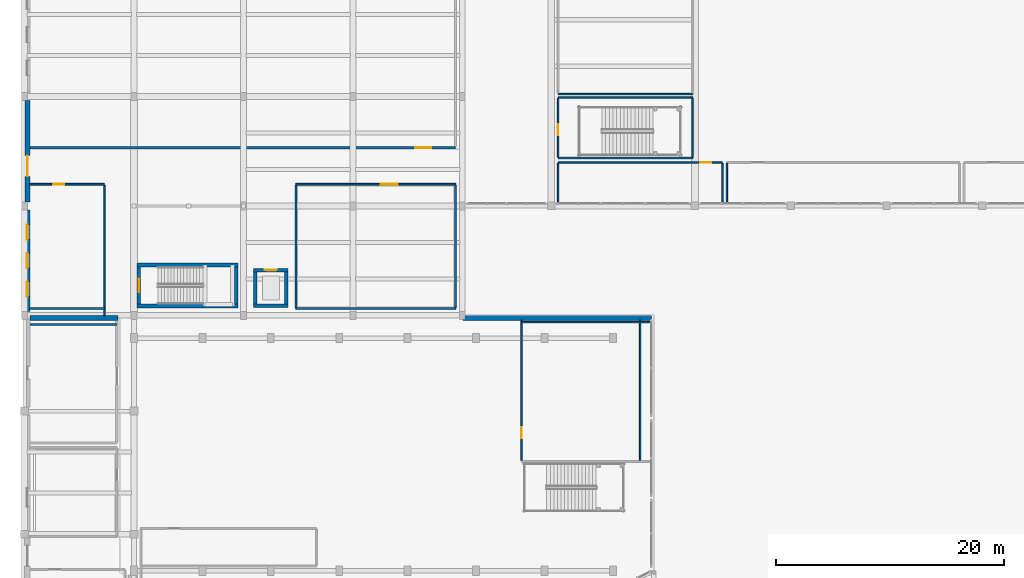
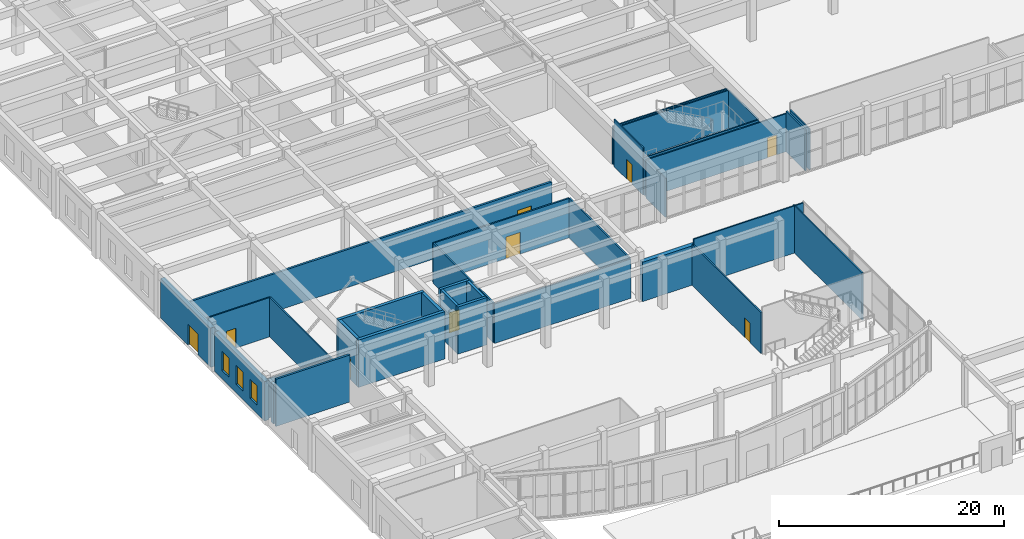
# One storey, part 67 of 98: 33 walls, 9 doors, 3 windows, 12 openings.
"""IFC4 building model written with IfcOpenShell, lengths in metres."""

import ifcopenshell
import ifcopenshell.guid

model = None  # the IFC model being written
_history = None  # IfcOwnerHistory: only IFC2X3 demands one
_inside = {}  # id of a spatial element -> (the spatial element, [elements in it])
_under = {}  # id of a project, library or spatial element -> (it, [spatial elements below it])
_declared = {}  # id of a project -> (the project, [libraries it declares])
_typed = {}  # id of a type object -> (the type object, [elements of that type])
_made_of = {}  # id of a material, layer set ... -> (it, [elements and type objects made of it])


def new_model(schema):
    """Start an empty IFC model of exactly this schema.

    Asked for "IFC4X3", IfcOpenShell would pick the latest addendum, in which some entities
    have other attributes; the version numbers below select the first issue.
    IFC2X3 requires an IfcOwnerHistory on every rooted entity: one is made here for all.
    """
    global model, _history
    if schema == "IFC4X3":
        model = ifcopenshell.file(schema_version=(4, 3, 0, 0))
    else:
        model = ifcopenshell.file(schema=schema)
    _inside.clear()
    _under.clear()
    _declared.clear()
    _typed.clear()
    _made_of.clear()
    _history = None
    if model.schema == "IFC2X3":
        org = make("IfcOrganization", Name="unknown")
        user = make(
            "IfcPersonAndOrganization",
            ThePerson=make("IfcPerson", FamilyName="unknown"),
            TheOrganization=org,
        )
        app = make(
            "IfcApplication",
            ApplicationDeveloper=org,
            Version="unknown",
            ApplicationFullName="unknown",
            ApplicationIdentifier="unknown",
        )
        _history = make(
            "IfcOwnerHistory",
            OwningUser=user,
            OwningApplication=app,
            ChangeAction="ADDED",
            CreationDate=0,
        )
    return model


def make(cls, **values):
    """One entity of the class cls with the attributes given. An attribute that is None is left unset."""
    return model.create_entity(
        cls, **{name: value for name, value in values.items() if value is not None}
    )


def rooted(cls, **values):
    """An entity with a GlobalId (a new one), such as an element, a storey or a relation."""
    return make(cls, GlobalId=ifcopenshell.guid.new(), OwnerHistory=_history, **values)


def si_unit(unit_type, name, prefix=None):
    """IfcSIUnit, for example si_unit("LENGTHUNIT", "METRE", prefix="MILLI")."""
    return make("IfcSIUnit", UnitType=unit_type, Prefix=prefix, Name=name)


def assignment(units):
    """IfcUnitAssignment: the units of a project."""
    return None if units is None else make("IfcUnitAssignment", Units=units)


def point(xyz):
    """IfcCartesianPoint."""
    return None if xyz is None else make("IfcCartesianPoint", Coordinates=xyz)


def direction(xyz):
    """IfcDirection."""
    return None if xyz is None else make("IfcDirection", DirectionRatios=xyz)


def frame(location, z_axis=None, x_axis=None):
    """IfcAxis2Placement3D, a coordinate frame: its origin and axes. An axis left out is left unset."""
    return make(
        "IfcAxis2Placement3D",
        Location=point(location),
        Axis=direction(z_axis),
        RefDirection=direction(x_axis),
    )


def frame_2d(location, x_axis=None):
    """IfcAxis2Placement2D, a coordinate frame in the plane: its origin and x axis."""
    return make(
        "IfcAxis2Placement2D", Location=point(location), RefDirection=direction(x_axis)
    )


def origin():
    """The frame at (0, 0, 0) with its axes left unset."""
    return frame((0.0, 0.0, 0.0))


def place(relative_to, where):
    """IfcLocalPlacement: puts the frame where relative to a parent placement (None: the world)."""
    return make(
        "IfcLocalPlacement", PlacementRelTo=relative_to, RelativePlacement=where
    )


def context(
    kind, dimensions, precision=None, world=None, true_north=None, identifier=None
):
    """IfcGeometricRepresentationContext, for example the 3D "Model" context."""
    return make(
        "IfcGeometricRepresentationContext",
        ContextIdentifier=identifier,
        ContextType=kind,
        CoordinateSpaceDimension=dimensions,
        Precision=precision,
        WorldCoordinateSystem=world,
        TrueNorth=true_north,
    )


def subcontext(parent, identifier, kind, view, scale=None):
    """IfcGeometricRepresentationSubContext, for example "Body" below "Model"."""
    return make(
        "IfcGeometricRepresentationSubContext",
        ContextIdentifier=identifier,
        ContextType=kind,
        ParentContext=parent,
        TargetScale=scale,
        TargetView=view,
    )


def project(units=None, contexts=None):
    """IfcProject with its units and contexts."""
    return rooted(
        "IfcProject",
        Name="project",
        RepresentationContexts=contexts,
        UnitsInContext=assignment(units),
    )


def spatial(cls, under=None, at=None, **own):
    """A site, building, storey or space (cls), placed at a placement, below another one or the project."""
    s = rooted(cls, ObjectPlacement=at, **own)
    if under is not None:
        _under.setdefault(under.id(), (under, []))[1].append(s)
    return s


def profile(cls, at=None, kind="AREA", **sizes):
    """A parametric profile (cls). Its sizes go by their IFC names, for example OverallWidth=200.0."""
    return make(cls, ProfileType=kind, Position=at, **sizes)


def rectangle(**sizes):
    """IfcRectangleProfileDef."""
    return profile("IfcRectangleProfileDef", **sizes)


def extrude(swept, where, along, depth):
    """IfcExtrudedAreaSolid: the profile swept, set in the frame where, extruded along a direction by depth."""
    return make(
        "IfcExtrudedAreaSolid",
        SweptArea=swept,
        Position=where,
        ExtrudedDirection=direction(along),
        Depth=depth,
    )


def shape(context_of_items, identifier, shape_type, items):
    """IfcShapeRepresentation: the items that make up one representation, for example the "Body"."""
    return make(
        "IfcShapeRepresentation",
        ContextOfItems=context_of_items,
        RepresentationIdentifier=identifier,
        RepresentationType=shape_type,
        Items=items,
    )


def material(Name=None, Category=None):
    """IfcMaterial."""
    return make("IfcMaterial", Name=Name, Category=Category)


def layer(
    of_material, thickness, ventilated=None, Name=None, Category=None, Priority=None
):
    """IfcMaterialLayer: one layer of a wall or slab, of a material (None: an air gap)."""
    return make(
        "IfcMaterialLayer",
        Material=of_material,
        LayerThickness=thickness,
        IsVentilated=ventilated,
        Name=Name,
        Category=Category,
        Priority=Priority,
    )


def layer_set(layers, Name=None):
    """IfcMaterialLayerSet."""
    return make("IfcMaterialLayerSet", MaterialLayers=layers, LayerSetName=Name)


def made_of(thing, what):
    """Note that an element or type object is made of a material, layer set ...; save() writes the relation."""
    if what is not None:
        _made_of.setdefault(what.id(), (what, []))[1].append(thing)
    return thing


def type_object(cls, material=None, **own):
    """A type object (cls), such as IfcWallType, which elements share."""
    return made_of(rooted(cls, **own), material)


def element(
    cls,
    number,
    at=None,
    inside=None,
    cuts=None,
    type_object=None,
    material=None,
    context=None,
    identifier="Body",
    shape_type=None,
    held_by="IfcProductDefinitionShape",
    body=None,
    shapes=None,
    **own,
):
    """One element of the class cls, such as IfcWall. Its Tag is "e" and its number.

    at: its placement. inside: the storey or other place that contains it. cuts: it is an
    opening in that element (IfcRelVoidsElement). A single representation is given by context,
    identifier, shape_type and body (its items); several are given by shapes. held_by: the class
    of the entity that holds the representations. save() writes the other relations.
    """
    e = rooted(cls, Tag="e%d" % number, ObjectPlacement=at, **own)
    if body is not None:
        shapes = [shape(context, identifier, shape_type, body)]
    if shapes is not None:
        e.Representation = make(held_by, Representations=shapes)
    if inside is not None:
        _inside.setdefault(inside.id(), (inside, []))[1].append(e)
    if cuts is not None:
        rooted(
            "IfcRelVoidsElement", RelatingBuildingElement=cuts, RelatedOpeningElement=e
        )
    if type_object is not None:
        _typed.setdefault(type_object.id(), (type_object, []))[1].append(e)
    return made_of(e, material)


def fill(opening, filler):
    """IfcRelFillsElement: the door or window that sits in an opening."""
    return rooted(
        "IfcRelFillsElement",
        RelatingOpeningElement=opening,
        RelatedBuildingElement=filler,
    )


def aggregate(whole, parts):
    """IfcRelAggregates: a whole, such as a stair, and the parts it consists of."""
    return rooted("IfcRelAggregates", RelatingObject=whole, RelatedObjects=parts)


def save(model, path):
    """Write the relations noted so far, then the file.

    IfcRelAggregates (storeys below a building ...), IfcRelContainedInSpatialStructure (elements
    in a storey), IfcRelDefinesByType, IfcRelAssociatesMaterial and IfcRelDeclares: one each for
    every whole, place, type object, material and project.
    """
    for whole, parts in _under.values():
        aggregate(whole, parts)
    for where, things in _inside.values():
        rooted(
            "IfcRelContainedInSpatialStructure",
            RelatedElements=things,
            RelatingStructure=where,
        )
    for kind, things in _typed.values():
        rooted("IfcRelDefinesByType", RelatedObjects=things, RelatingType=kind)
    for what, things in _made_of.values():
        rooted("IfcRelAssociatesMaterial", RelatedObjects=things, RelatingMaterial=what)
    for by, libraries in _declared.values():
        rooted("IfcRelDeclares", RelatingContext=by, RelatedDefinitions=libraries)
    model.write(path)


model = new_model("IFC4")

# Units and contexts
model_context = context("Model", 3, precision=1e-05, world=origin(), true_north=direction((0.0, 1.0)))
body_context = subcontext(model_context, "Body", "Model", "MODEL_VIEW")
ifc_project = project(units=[si_unit("LENGTHUNIT", "METRE"), si_unit("AREAUNIT", "SQUARE_METRE"), si_unit("VOLUMEUNIT", "CUBIC_METRE"), si_unit("PLANEANGLEUNIT", "RADIAN"), si_unit("MASSUNIT", "GRAM", prefix="KILO")], contexts=[model_context])

# Site, building, storey
site_placement = place(None, origin())
site = spatial("IfcSite", under=ifc_project, at=site_placement, CompositionType="ELEMENT")
building_placement = place(site_placement, origin())
building = spatial("IfcBuilding", under=site, at=building_placement, Name="Tarnavel Promenade Courthouse", CompositionType="ELEMENT")
storey_placement = place(building_placement, origin())
storey = spatial("IfcBuildingStorey", under=building, at=storey_placement, Name="L01", CompositionType="ELEMENT", Elevation=0.0)

# Wall, opening, door
ifc_material_1 = material(Name="Acoustic Insulated Gypsum Stud Partition", Category="gypsum")
ifc_layer_1 = layer(ifc_material_1, 0.14990234375)
ifc_layer_set_1 = layer_set([ifc_layer_1], Name="Acoustic Insulated Gypsum Stud Partition")
wall_type_1 = type_object("IfcWallType", Name="Acoustic Insulated Gypsum Stud Partition WL-LIB-150 (150 mm)", PredefinedType="PARTITIONING", material=ifc_layer_set_1)
wall_1_placement = place(storey_placement, frame((23.800048828125, 48.699951171875, 0.0), z_axis=(0.0, 0.0, 1.0), x_axis=(1.0, 0.0, 0.0)))
wall_1 = element("IfcWall", 1, at=wall_1_placement, inside=storey, type_object=wall_type_1, Name="L01 Law Library Circulation Desk and Catalogue Room Partition 0139", PredefinedType="PARTITIONING", context=body_context, shape_type="SweptSolid", body=[
    extrude(rectangle(XDim=14.0, YDim=0.14990234375, at=frame_2d((7.0, 0.0))), origin(), (0.0, 0.0, 1.0), 4.280029296875),
])
opening_1_placement = place(wall_1_placement, frame((7.429931640625, 0.0, 0.0)))
opening_1 = element("IfcOpeningElement", 2, at=opening_1_placement, cuts=wall_1, Name="Opening ID-05", PredefinedType="OPENING", context=body_context, shape_type="SweptSolid", body=[
    extrude(rectangle(XDim=1.5, YDim=2.35009765625, at=frame_2d((0.75, 1.175048828125))), frame((0.0, 0.0849609375, 0.0), z_axis=(0.0, -1.0, 0.0), x_axis=(1.0, 0.0, 0.0)), (0.0, 0.0, 1.0), 0.169921875),
])
ifc_material_2 = material(Name="Glazed Oak Law Library Double Door")
door_type_1 = type_object("IfcDoorType", Name="Glazed Oak Law Library Double Door (DR-LIB-1500x2350)", OperationType="NOTDEFINED", PredefinedType="DOOR", material=ifc_material_2)
door_1_placement = place(opening_1_placement, origin())
door_1 = element("IfcDoor", 3, at=door_1_placement, inside=storey, type_object=door_type_1, Name="L01 Law Library Circulation Desk and Catalogue Room Door 0040", OperationType="DOUBLE_DOOR_SINGLE_SWING", OverallHeight=2.35009765625, OverallWidth=1.5, PredefinedType="DOOR", context=body_context, shape_type="SweptSolid", body=[
    extrude(rectangle(XDim=1.5, YDim=2.35009765625, at=frame_2d((0.75, 1.175048828125))), frame((0.0, 0.02490234375, 0.0), z_axis=(0.0, -1.0, 0.0), x_axis=(1.0, 0.0, 0.0)), (0.0, 0.0, 1.0), 0.050048828125),
])
fill(opening_1, door_1)

# Walls
wall_2_placement = place(storey_placement, frame((37.800048828125, 37.800048828125, 0.0), z_axis=(0.0, 0.0, 1.0), x_axis=(-1.0, 0.0, 0.0)))
element("IfcWall", 4, at=wall_2_placement, inside=storey, type_object=wall_type_1, Name="L01 Law Library Circulation Desk and Catalogue Room Partition 0140", PredefinedType="PARTITIONING", context=body_context, shape_type="SweptSolid", body=[
    extrude(rectangle(XDim=14.0, YDim=0.14990234375, at=frame_2d((7.0, 0.0))), origin(), (0.0, 0.0, 1.0), 4.280029296875),
])
for number, where, z_axis, x_axis, name in (
    (5, (23.800048828125, 37.885009765625, 0.0), (0.0, 0.0, 1.0), (0.0, 1.0, 0.0), "L01 Law Library Circulation Desk and Catalogue Room Partition 0141"),
    (6, (37.800048828125, 48.614990234375, 0.0), (0.0, 0.0, 1.0), (0.0, -1.0, 0.0), "L01 Law Library Circulation Desk and Catalogue Room Partition 0142"),
):
    element("IfcWall", number, at=place(storey_placement, frame(where, z_axis=z_axis, x_axis=x_axis)), inside=storey, type_object=wall_type_1, Name=name, PredefinedType="PARTITIONING", context=body_context, shape_type="SweptSolid", body=[
        extrude(rectangle(XDim=10.72998046875, YDim=0.14990234375, at=frame_2d((5.364990234375, 0.0))), origin(), (0.0, 0.0, 1.0), 4.330078125),
    ])

# Wall, opening, door
ifc_material_3 = material(Name="Concrete C40/50", Category="concrete")
ifc_layer_2 = layer(ifc_material_3, 0.280029296875)
ifc_layer_set_2 = layer_set([ifc_layer_2], Name="Concrete C40/50")
wall_type_2 = type_object("IfcWallType", Name="Concrete C40/50 WL-SHR-280 (280 mm)", PredefinedType="SHEAR", material=ifc_layer_set_2)
wall_3_placement = place(storey_placement, frame((20.10009765625, 41.159912109375, 0.0), z_axis=(0.0, 0.0, 1.0), x_axis=(1.0, 0.0, 0.0)))
wall_3 = element("IfcWall", 7, at=wall_3_placement, inside=storey, type_object=wall_type_2, Name="L01 L-LIB1 Lift Shaft North Wall", PredefinedType="SHEAR", context=body_context, shape_type="SweptSolid", body=[
    extrude(rectangle(XDim=3.0, YDim=0.280029296875, at=frame_2d((1.5, 0.0))), origin(), (0.0, 0.0, 1.0), 5.139892578125),
])
opening_2_placement = place(wall_3_placement, frame((0.97509765625, 0.0, 0.0)))
opening_2 = element("IfcOpeningElement", 8, at=opening_2_placement, cuts=wall_3, Name="Opening LD-02", PredefinedType="OPENING", context=body_context, shape_type="SweptSolid", body=[
    extrude(rectangle(XDim=1.050048828125, YDim=2.199951171875, at=frame_2d((0.52490234375, 1.10009765625))), frame((0.0, 0.14990234375, 0.0), z_axis=(0.0, -1.0, 0.0), x_axis=(1.0, 0.0, 0.0)), (0.0, 0.0, 1.0), 0.300048828125),
])
ifc_material_4 = material(Name="Brushed Bronze Passenger Lift Landing Sliding Door")
door_type_2 = type_object("IfcDoorType", Name="Brushed Bronze Passenger Lift Landing Sliding Door (LD-PUB-1050x2200)", OperationType="NOTDEFINED", PredefinedType="DOOR", material=ifc_material_4)
door_2_placement = place(opening_2_placement, origin())
door_2 = element("IfcDoor", 9, at=door_2_placement, inside=storey, type_object=door_type_2, Name="L01 L-LIB1 Lift Sliding Landing Door", OperationType="DOUBLE_DOOR_SLIDING", OverallHeight=2.199951171875, OverallWidth=1.050048828125, PredefinedType="DOOR", context=body_context, shape_type="SweptSolid", body=[
    extrude(rectangle(XDim=1.050048828125, YDim=2.199951171875, at=frame_2d((0.52490234375, 1.10009765625))), frame((0.0, 0.02490234375, 0.0), z_axis=(0.0, -1.0, 0.0), x_axis=(1.0, 0.0, 0.0)), (0.0, 0.0, 1.0), 0.050048828125),
])
fill(opening_2, door_2)

# Walls
wall_4_placement = place(storey_placement, frame((23.10009765625, 38.0400390625, 0.0), z_axis=(0.0, 0.0, 1.0), x_axis=(-1.0, 0.0, 0.0)))
element("IfcWall", 10, at=wall_4_placement, inside=storey, type_object=wall_type_2, Name="L01 L-LIB1 Lift Shaft South Wall", PredefinedType="SHEAR", context=body_context, shape_type="SweptSolid", body=[
    extrude(rectangle(XDim=3.0, YDim=0.280029296875, at=frame_2d((1.5, 0.0))), origin(), (0.0, 0.0, 1.0), 5.139892578125),
])
for number, where, z_axis, x_axis, name in (
    (11, (20.239990234375, 38.179931640625, 0.0), (0.0, 0.0, 1.0), (0.0, 1.0, 0.0), "L01 L-LIB1 Lift Shaft West Wall"),
    (12, (22.9599609375, 41.02001953125, 0.0), (0.0, 0.0, 1.0), (0.0, -1.0, 0.0), "L01 L-LIB1 Lift Shaft East Wall"),
):
    element("IfcWall", number, at=place(storey_placement, frame(where, z_axis=z_axis, x_axis=x_axis)), inside=storey, type_object=wall_type_2, Name=name, PredefinedType="SHEAR", context=body_context, shape_type="SweptSolid", body=[
        extrude(rectangle(XDim=2.840087890625, YDim=0.280029296875, at=frame_2d((1.419921875, 0.0))), origin(), (0.0, 0.0, 1.0), 5.139892578125),
    ])
ifc_layer_3 = layer(ifc_material_3, 0.320068359375)
ifc_layer_set_3 = layer_set([ifc_layer_3], Name="Concrete C40/50")
wall_type_3 = type_object("IfcWallType", Name="Concrete C40/50 WL-SHR-320 (320 mm)", PredefinedType="SHEAR", material=ifc_layer_set_3)
for number, where, z_axis, x_axis, name in (
    (13, (9.860107421875, 41.6201171875, 0.0), (0.0, 0.0, 1.0), (1.0, 0.0, 0.0), "L01 ST-05 Shear Core North Wall"),
    (14, (18.739990234375, 38.02001953125, 0.0), (0.0, 0.0, 1.0), (-1.0, 0.0, 0.0), "L01 ST-05 Shear Core South Wall"),
):
    element("IfcWall", number, at=place(storey_placement, frame(where, z_axis=z_axis, x_axis=x_axis)), inside=storey, type_object=wall_type_3, Name=name, PredefinedType="SHEAR", context=body_context, shape_type="SweptSolid", body=[
        extrude(rectangle(XDim=8.8798828125, YDim=0.320068359375, at=frame_2d((4.43994140625, 0.0))), origin(), (0.0, 0.0, 1.0), 5.139892578125),
    ])

# Wall, opening, door
wall_5_placement = place(storey_placement, frame((10.02001953125, 38.179931640625, 0.0), z_axis=(0.0, 0.0, 1.0), x_axis=(0.0, 1.0, 0.0)))
wall_5 = element("IfcWall", 15, at=wall_5_placement, inside=storey, type_object=wall_type_3, Name="L01 ST-05 Shear Core West Landing Wall", PredefinedType="SHEAR", context=body_context, shape_type="SweptSolid", body=[
    extrude(rectangle(XDim=3.280029296875, YDim=0.320068359375, at=frame_2d((1.64013671875, 0.0))), origin(), (0.0, 0.0, 1.0), 5.139892578125),
])
opening_3_placement = place(wall_5_placement, frame((1.06494140625, 0.0, 0.0)))
opening_3 = element("IfcOpeningElement", 16, at=opening_3_placement, cuts=wall_5, Name="Opening FD-01", PredefinedType="OPENING", context=body_context, shape_type="SweptSolid", body=[
    extrude(rectangle(XDim=1.14990234375, YDim=2.199951171875, at=frame_2d((0.574951171875, 1.10009765625))), frame((0.0, 0.169921875, 0.0), z_axis=(0.0, -1.0, 0.0), x_axis=(1.0, 0.0, 0.0)), (0.0, 0.0, 1.0), 0.340087890625),
])
ifc_material_5 = material(Name="Steel Fire-Rated Stair Core Door", Category="steel")
door_type_3 = type_object("IfcDoorType", Name="Steel Fire-Rated Stair Core Door (DR-ST-1150x2200)", OperationType="NOTDEFINED", PredefinedType="DOOR", material=ifc_material_5)
door_3_placement = place(opening_3_placement, origin())
door_3 = element("IfcDoor", 17, at=door_3_placement, inside=storey, type_object=door_type_3, Name="L01 ST-05 Protected Exit Stair Door", OperationType="SINGLE_SWING_RIGHT", OverallHeight=2.199951171875, OverallWidth=1.14990234375, PredefinedType="DOOR", context=body_context, shape_type="SweptSolid", body=[
    extrude(rectangle(XDim=1.14990234375, YDim=2.199951171875, at=frame_2d((0.574951171875, 1.10009765625))), frame((0.0, 0.02490234375, 0.0), z_axis=(0.0, -1.0, 0.0), x_axis=(1.0, 0.0, 0.0)), (0.0, 0.0, 1.0), 0.050048828125),
])
fill(opening_3, door_3)

# Wall
wall_6_placement = place(storey_placement, frame((18.580078125, 41.4599609375, 0.0), z_axis=(0.0, 0.0, 1.0), x_axis=(0.0, -1.0, 0.0)))
element("IfcWall", 18, at=wall_6_placement, inside=storey, type_object=wall_type_3, Name="L01 ST-05 Shear Core East Wall", PredefinedType="SHEAR", context=body_context, shape_type="SweptSolid", body=[
    extrude(rectangle(XDim=3.280029296875, YDim=0.320068359375, at=frame_2d((1.64013671875, 0.0))), origin(), (0.0, 0.0, 1.0), 5.139892578125),
])

# Wall, opening, door
ifc_material_6 = material(Name="Concrete Masonry Fire Compartment Wall", Category="masonry")
ifc_layer_4 = layer(ifc_material_6, 0.205078125)
ifc_layer_set_4 = layer_set([ifc_layer_4], Name="Concrete Masonry Fire Compartment Wall")
wall_type_4 = type_object("IfcWallType", Name="Concrete Masonry Fire Compartment Wall WL-CMP-205 (205 mm)", PredefinedType="STANDARD", material=ifc_layer_set_4)
wall_7_placement = place(storey_placement, frame((37.800048828125, 51.89990234375, 0.0), z_axis=(0.0, 0.0, 1.0), x_axis=(-1.0, 0.0, 0.0)))
wall_7 = element("IfcWall", 19, at=wall_7_placement, inside=storey, type_object=wall_type_4, Name="L01 Judicial Archive Public Reference Room Partition 0134", PredefinedType="STANDARD", context=body_context, shape_type="SweptSolid", body=[
    extrude(rectangle(XDim=37.345947265625, YDim=0.205078125, at=frame_2d((18.6728515625, 0.0))), origin(), (0.0, 0.0, 1.0), 4.1298828125),
])
opening_4_placement = place(wall_7_placement, frame((2.1123046875, 0.0, 0.0)))
opening_4 = element("IfcOpeningElement", 20, at=opening_4_placement, cuts=wall_7, Name="Opening FD-04", PredefinedType="OPENING", context=body_context, shape_type="SweptSolid", body=[
    extrude(rectangle(XDim=1.39990234375, YDim=2.25, at=frame_2d((0.699951171875, 1.125))), frame((0.0, 0.112548828125, 0.0), z_axis=(0.0, -1.0, 0.0), x_axis=(1.0, 0.0, 0.0)), (0.0, 0.0, 1.0), 0.22509765625),
])
ifc_material_7 = material(Name="Heavy Steel Plant Room Fire Door", Category="steel")
door_type_4 = type_object("IfcDoorType", Name="Heavy Steel Plant Room Fire Door (DR-PLT-1400x2250)", OperationType="NOTDEFINED", PredefinedType="DOOR", material=ifc_material_7)
door_4_placement = place(opening_4_placement, origin())
door_4 = element("IfcDoor", 21, at=door_4_placement, inside=storey, type_object=door_type_4, Name="L01 Judicial Archive Public Reference Room Door 0038", OperationType="SINGLE_SWING_RIGHT", OverallHeight=2.25, OverallWidth=1.39990234375, PredefinedType="DOOR", context=body_context, shape_type="SweptSolid", body=[
    extrude(rectangle(XDim=1.39990234375, YDim=2.25, at=frame_2d((0.699951171875, 1.125))), frame((0.0, 0.02490234375, 0.0), z_axis=(0.0, -1.0, 0.0), x_axis=(1.0, 0.0, 0.0)), (0.0, 0.0, 1.0), 0.050048828125),
])
fill(opening_4, door_4)

# Wall
wall_8_placement = place(storey_placement, frame((0.47412109375, 36.39990234375, 0.0), z_axis=(0.0, 0.0, 1.0), x_axis=(1.0, 0.0, 0.0)))
element("IfcWall", 22, at=wall_8_placement, inside=storey, type_object=wall_type_4, Name="L01 Fire Command Centre Partition 0148", PredefinedType="STANDARD", context=body_context, shape_type="SweptSolid", body=[
    extrude(rectangle(XDim=7.6259765625, YDim=0.205078125, at=frame_2d((3.81298828125, 0.0))), origin(), (0.0, 0.0, 1.0), 5.125),
])

# Wall, openings, windows
ifc_material_8 = material(Name="Limestone Ashlar Faced Insulated Brick Masonry", Category="masonry")
ifc_layer_5 = layer(ifc_material_8, 0.43994140625)
ifc_layer_set_5 = layer_set([ifc_layer_5], Name="Limestone Ashlar Faced Insulated Brick Masonry")
wall_type_5 = type_object("IfcWallType", Name="Limestone Ashlar Faced Insulated Brick Masonry WL-EXT-440 (440 mm)", PredefinedType="STANDARD", material=ifc_layer_set_5)
wall_9_placement = place(storey_placement, frame((0.239990234375, 37.5419921875, 0.0), z_axis=(0.0, 0.0, 1.0), x_axis=(0.0, 1.0, 0.0)))
wall_9 = element("IfcWall", 23, at=wall_9_placement, inside=storey, type_object=wall_type_5, Name="L01 Law Library West Brick Facade 0337", PredefinedType="STANDARD", context=body_context, shape_type="SweptSolid", body=[
    extrude(rectangle(XDim=8.916015625, YDim=0.43994140625, at=frame_2d((4.4580078125, 0.0))), origin(), (0.0, 0.0, 1.0), 4.280029296875),
])
opening_5_placement = place(wall_9_placement, frame((1.30810546875, 0.0, 0.89990234375)))
opening_5 = element("IfcOpeningElement", 24, at=opening_5_placement, cuts=wall_9, Name="Opening W-06", PredefinedType="OPENING", context=body_context, shape_type="SweptSolid", body=[
    extrude(rectangle(XDim=1.300048828125, YDim=2.10009765625, at=frame_2d((0.64990234375, 1.050048828125))), frame((0.0, 0.22998046875, 0.0), z_axis=(0.0, -1.0, 0.0), x_axis=(1.0, 0.0, 0.0)), (0.0, 0.0, 1.0), 0.4599609375),
])
opening_6_placement = place(wall_9_placement, frame((3.80810546875, 0.0, 0.89990234375)))
opening_6 = element("IfcOpeningElement", 25, at=opening_6_placement, cuts=wall_9, Name="Opening W-06", PredefinedType="OPENING", context=body_context, shape_type="SweptSolid", body=[
    extrude(rectangle(XDim=1.300048828125, YDim=2.10009765625, at=frame_2d((0.64990234375, 1.050048828125))), frame((0.0, 0.22998046875, 0.0), z_axis=(0.0, -1.0, 0.0), x_axis=(1.0, 0.0, 0.0)), (0.0, 0.0, 1.0), 0.4599609375),
])
opening_7_placement = place(wall_9_placement, frame((6.30810546875, 0.0, 0.89990234375)))
opening_7 = element("IfcOpeningElement", 26, at=opening_7_placement, cuts=wall_9, Name="Opening W-06", PredefinedType="OPENING", context=body_context, shape_type="SweptSolid", body=[
    extrude(rectangle(XDim=1.300048828125, YDim=2.10009765625, at=frame_2d((0.64990234375, 1.050048828125))), frame((0.0, 0.22998046875, 0.0), z_axis=(0.0, -1.0, 0.0), x_axis=(1.0, 0.0, 0.0)), (0.0, 0.0, 1.0), 0.4599609375),
])
ifc_material_9 = material(Name="Triple Low-E Glazed Bronze-Clad Window Assembly")
window_type = type_object("IfcWindowType", Name="Triple-Glazed Bronze-Clad Timber-Aluminium WIN-LIB-1300x2100", PartitioningType="SINGLE_PANEL", PredefinedType="WINDOW", material=ifc_material_9)
window_1_placement = place(opening_5_placement, origin())
window_1 = element("IfcWindow", 27, at=window_1_placement, inside=storey, type_object=window_type, Name="L01 Exterior Window 0387", OverallHeight=2.10009765625, OverallWidth=1.300048828125, PartitioningType="SINGLE_PANEL", PredefinedType="WINDOW", context=body_context, shape_type="SweptSolid", body=[
    extrude(rectangle(XDim=1.300048828125, YDim=2.10009765625, at=frame_2d((0.64990234375, 1.050048828125))), frame((0.0, 0.030029296875, 0.0), z_axis=(0.0, -1.0, 0.0), x_axis=(1.0, 0.0, 0.0)), (0.0, 0.0, 1.0), 0.06005859375),
])
fill(opening_5, window_1)
window_2_placement = place(opening_6_placement, origin())
window_2 = element("IfcWindow", 28, at=window_2_placement, inside=storey, type_object=window_type, Name="L01 Exterior Window 0388", OverallHeight=2.10009765625, OverallWidth=1.300048828125, PartitioningType="SINGLE_PANEL", PredefinedType="WINDOW", context=body_context, shape_type="SweptSolid", body=[
    extrude(rectangle(XDim=1.300048828125, YDim=2.10009765625, at=frame_2d((0.64990234375, 1.050048828125))), frame((0.0, 0.030029296875, 0.0), z_axis=(0.0, -1.0, 0.0), x_axis=(1.0, 0.0, 0.0)), (0.0, 0.0, 1.0), 0.06005859375),
])
fill(opening_6, window_2)
window_3_placement = place(opening_7_placement, origin())
window_3 = element("IfcWindow", 29, at=window_3_placement, inside=storey, type_object=window_type, Name="L01 Exterior Window 0389", OverallHeight=2.10009765625, OverallWidth=1.300048828125, PartitioningType="SINGLE_PANEL", PredefinedType="WINDOW", context=body_context, shape_type="SweptSolid", body=[
    extrude(rectangle(XDim=1.300048828125, YDim=2.10009765625, at=frame_2d((0.64990234375, 1.050048828125))), frame((0.0, 0.030029296875, 0.0), z_axis=(0.0, -1.0, 0.0), x_axis=(1.0, 0.0, 0.0)), (0.0, 0.0, 1.0), 0.06005859375),
])
fill(opening_7, window_3)

# Wall, opening, door
wall_10_placement = place(storey_placement, frame((0.239990234375, 47.14208984375, 0.0), z_axis=(0.0, 0.0, 1.0), x_axis=(0.0, 1.0, 0.0)))
wall_10 = element("IfcWall", 30, at=wall_10_placement, inside=storey, type_object=wall_type_5, Name="L01 Law Library West Brick Facade 0338", PredefinedType="STANDARD", context=body_context, shape_type="SweptSolid", body=[
    extrude(rectangle(XDim=8.916015625, YDim=0.43994140625, at=frame_2d((4.4580078125, 0.0))), origin(), (0.0, 0.0, 1.0), 4.280029296875),
])
opening_8_placement = place(wall_10_placement, frame((2.258056640625, 0.0, 0.0)))
opening_8 = element("IfcOpeningElement", 31, at=opening_8_placement, cuts=wall_10, Name="Opening ED-03", PredefinedType="OPENING", context=body_context, shape_type="SweptSolid", body=[
    extrude(rectangle(XDim=1.800048828125, YDim=2.25, at=frame_2d((0.89990234375, 1.125))), frame((0.0, 0.22998046875, 0.0), z_axis=(0.0, -1.0, 0.0), x_axis=(1.0, 0.0, 0.0)), (0.0, 0.0, 1.0), 0.4599609375),
])
ifc_material_10 = material(Name="Insulated Steel Emergency Exit Double Door", Category="steel")
door_type_5 = type_object("IfcDoorType", Name="Insulated Steel Emergency Exit Double Door (ED-EXIT-1800x2250)", OperationType="NOTDEFINED", PredefinedType="DOOR", material=ifc_material_10)
door_5_placement = place(opening_8_placement, origin())
door_5 = element("IfcDoor", 32, at=door_5_placement, inside=storey, type_object=door_type_5, Name="Law Library West Corridor Direct Exterior Exit Door", OperationType="DOUBLE_DOOR_SINGLE_SWING", OverallHeight=2.25, OverallWidth=1.800048828125, PredefinedType="DOOR", context=body_context, shape_type="SweptSolid", body=[
    extrude(rectangle(XDim=1.800048828125, YDim=2.25, at=frame_2d((0.89990234375, 1.125))), frame((0.0, 0.02490234375, 0.0), z_axis=(0.0, -1.0, 0.0), x_axis=(1.0, 0.0, 0.0)), (0.0, 0.0, 1.0), 0.050048828125),
])
fill(opening_8, door_5)

# Walls
wall_11_placement = place(storey_placement, frame((0.471923828125, 36.9599609375, 0.0), z_axis=(0.0, 0.0, 1.0), x_axis=(1.0, 0.0, 0.0)))
element("IfcWall", 33, at=wall_11_placement, inside=storey, type_object=wall_type_5, Name="L01 Portal Pavilion North Stone Wall 0364", PredefinedType="STANDARD", context=body_context, shape_type="SweptSolid", body=[
    extrude(rectangle(XDim=7.72802734375, YDim=0.43994140625, at=frame_2d((3.864013671875, 0.0))), origin(), (0.0, 0.0, 1.0), 4.280029296875),
])
wall_12_placement = place(storey_placement, frame((38.449951171875, 36.97998046875, 0.0), z_axis=(0.0, 0.0, 1.0), x_axis=(1.0, 0.0, 0.0)))
element("IfcWall", 34, at=wall_12_placement, inside=storey, type_object=wall_type_5, Name="L01 Public Drum North-East Courtyard Wall 0434", PredefinedType="STANDARD", context=body_context, shape_type="SweptSolid", body=[
    extrude(rectangle(XDim=16.550048828125, YDim=0.43994140625, at=frame_2d((8.27490234375, 0.0))), origin(), (0.0, 0.0, 1.0), 4.280029296875),
])

# Wall, opening, door
ifc_material_11 = material(Name="Metal-Stud Acoustic Gypsum Partition", Category="gypsum")
ifc_layer_6 = layer(ifc_material_11, 0.135009765625)
ifc_layer_set_6 = layer_set([ifc_layer_6], Name="Metal-Stud Acoustic Gypsum Partition")
wall_type_6 = type_object("IfcWallType", Name="Metal-Stud Acoustic Gypsum Partition WL-OFF-135 (135 mm)", PredefinedType="PARTITIONING", material=ifc_layer_set_6)
wall_13_placement = place(storey_placement, frame((0.4541015625, 48.699951171875, 0.0), z_axis=(0.0, 0.0, 1.0), x_axis=(1.0, 0.0, 0.0)))
wall_13 = element("IfcWall", 35, at=wall_13_placement, inside=storey, type_object=wall_type_6, Name="L01 L01 Legal Scholars' Study Carrels Partition 0136", PredefinedType="PARTITIONING", context=body_context, shape_type="SweptSolid", body=[
    extrude(rectangle(XDim=6.5458984375, YDim=0.135009765625, at=frame_2d((3.27294921875, 0.0))), origin(), (0.0, 0.0, 1.0), 4.280029296875),
])
opening_9_placement = place(wall_13_placement, frame((2.063720703125, 0.0, 0.0)))
opening_9 = element("IfcOpeningElement", 36, at=opening_9_placement, cuts=wall_13, Name="Opening ID-06", PredefinedType="OPENING", context=body_context, shape_type="SweptSolid", body=[
    extrude(rectangle(XDim=0.949951171875, YDim=2.14990234375, at=frame_2d((0.47509765625, 1.074951171875))), frame((0.0, 0.077392578125, 0.0), z_axis=(0.0, -1.0, 0.0), x_axis=(1.0, 0.0, 0.0)), (0.0, 0.0, 1.0), 0.155029296875),
])
ifc_material_12 = material(Name="Acoustic Timber Veneer Office Door", Category="wood")
door_type_6 = type_object("IfcDoorType", Name="Acoustic Timber Veneer Office Door (DR-OFF-0950x2150)", OperationType="NOTDEFINED", PredefinedType="DOOR", material=ifc_material_12)
door_6_placement = place(opening_9_placement, origin())
door_6 = element("IfcDoor", 37, at=door_6_placement, inside=storey, type_object=door_type_6, Name="L01 L01 Legal Scholars' Study Carrels Door 0039", OperationType="SINGLE_SWING_LEFT", OverallHeight=2.14990234375, OverallWidth=0.949951171875, PredefinedType="DOOR", context=body_context, shape_type="SweptSolid", body=[
    extrude(rectangle(XDim=0.949951171875, YDim=2.14990234375, at=frame_2d((0.47509765625, 1.074951171875))), frame((0.0, 0.02490234375, 0.0), z_axis=(0.0, -1.0, 0.0), x_axis=(1.0, 0.0, 0.0)), (0.0, 0.0, 1.0), 0.050048828125),
])
fill(opening_9, door_6)

# Walls
wall_14_placement = place(storey_placement, frame((7.0, 37.800048828125, 0.0), z_axis=(0.0, 0.0, 1.0), x_axis=(-1.0, 0.0, 0.0)))
element("IfcWall", 38, at=wall_14_placement, inside=storey, type_object=wall_type_6, Name="L01 L01 Legal Scholars' Study Carrels Partition 0137", PredefinedType="PARTITIONING", context=body_context, shape_type="SweptSolid", body=[
    extrude(rectangle(XDim=6.5458984375, YDim=0.135009765625, at=frame_2d((3.27294921875, 0.0))), origin(), (0.0, 0.0, 1.0), 4.280029296875),
])
wall_15_placement = place(storey_placement, frame((7.0, 48.62255859375, 0.0), z_axis=(0.0, 0.0, 1.0), x_axis=(0.0, -1.0, 0.0)))
element("IfcWall", 39, at=wall_15_placement, inside=storey, type_object=wall_type_6, Name="L01 L01 Legal Scholars' Study Carrels Partition 0138", PredefinedType="PARTITIONING", context=body_context, shape_type="SweptSolid", body=[
    extrude(rectangle(XDim=11.448486328125, YDim=0.135009765625, at=frame_2d((5.72412109375, 0.0))), origin(), (0.0, 0.0, 1.0), 4.330078125),
])
wall_16_placement = place(storey_placement, frame((58.60009765625, 56.60009765625, 0.0), z_axis=(0.0, 0.0, 1.0), x_axis=(-1.0, 0.0, 0.0)))
element("IfcWall", 40, at=wall_16_placement, inside=storey, type_object=wall_type_6, Name="L01 Public Mediation and Citizen Guidance Salon Partition 0152", PredefinedType="PARTITIONING", context=body_context, shape_type="SweptSolid", body=[
    extrude(rectangle(XDim=11.800048828125, YDim=0.135009765625, at=frame_2d((5.89990234375, 0.0))), origin(), (0.0, 0.0, 1.0), 4.1298828125),
])
wall_17_placement = place(storey_placement, frame((43.60009765625, 36.60009765625, 0.0), z_axis=(0.0, 0.0, 1.0), x_axis=(1.0, 0.0, 0.0)))
element("IfcWall", 41, at=wall_17_placement, inside=storey, type_object=wall_type_6, Name="L01 Civil Process Service and Filing Registry Partition 0155", PredefinedType="PARTITIONING", context=body_context, shape_type="SweptSolid", body=[
    extrude(rectangle(XDim=11.289794921875, YDim=0.135009765625, at=frame_2d((5.64501953125, 0.0))), origin(), (0.0, 0.0, 1.0), 5.125),
])

# Wall, opening, door
wall_18_placement = place(storey_placement, frame((43.60009765625, 24.4775390625, 0.0), z_axis=(0.0, 0.0, 1.0), x_axis=(0.0, 1.0, 0.0)))
wall_18 = element("IfcWall", 42, at=wall_18_placement, inside=storey, type_object=wall_type_6, Name="L01 Civil Process Service and Filing Registry Partition 0157", PredefinedType="PARTITIONING", context=body_context, shape_type="SweptSolid", body=[
    extrude(rectangle(XDim=12.28857421875, YDim=0.135009765625, at=frame_2d((6.144287109375, 0.0))), origin(), (0.0, 0.0, 1.0), 4.469970703125),
])
opening_10_placement = place(wall_18_placement, frame((1.94580078125, 0.0, 0.0)))
opening_10 = element("IfcOpeningElement", 43, at=opening_10_placement, cuts=wall_18, Name="Opening ID-06", PredefinedType="OPENING", context=body_context, shape_type="SweptSolid", body=[
    extrude(rectangle(XDim=0.949951171875, YDim=2.14990234375, at=frame_2d((0.47509765625, 1.074951171875))), frame((0.0, 0.077392578125, 0.0), z_axis=(0.0, -1.0, 0.0), x_axis=(1.0, 0.0, 0.0)), (0.0, 0.0, 1.0), 0.155029296875),
])
door_7_placement = place(opening_10_placement, origin())
door_7 = element("IfcDoor", 44, at=door_7_placement, inside=storey, type_object=door_type_6, Name="L01 Civil Process Service and Filing Registry Door 0045", OperationType="SINGLE_SWING_RIGHT", OverallHeight=2.14990234375, OverallWidth=0.949951171875, PredefinedType="DOOR", context=body_context, shape_type="SweptSolid", body=[
    extrude(rectangle(XDim=0.949951171875, YDim=2.14990234375, at=frame_2d((0.47509765625, 1.074951171875))), frame((0.0, 0.02490234375, 0.0), z_axis=(0.0, -1.0, 0.0), x_axis=(1.0, 0.0, 0.0)), (0.0, 0.0, 1.0), 0.050048828125),
])
fill(opening_10, door_7)

# Walls
wall_19_placement = place(storey_placement, frame((54.0, 36.76611328125, 0.0), z_axis=(0.0, 0.0, 1.0), x_axis=(0.0, -1.0, 0.0)))
element("IfcWall", 45, at=wall_19_placement, inside=storey, type_object=wall_type_6, Name="L01 Civil Process Service and Filing Registry Partition 0158", PredefinedType="PARTITIONING", context=body_context, shape_type="SweptSolid", body=[
    extrude(rectangle(XDim=12.28857421875, YDim=0.135009765625, at=frame_2d((6.144287109375, 0.0))), origin(), (0.0, 0.0, 1.0), 5.125),
])
for number, where, z_axis, x_axis, name in (
    (46, (46.800048828125, 56.300048828125, 0.0), (0.0, 0.0, 1.0), (1.0, 0.0, 0.0), "L01 Legal Forms and Self-Help Kiosk Salon Partition 0159"),
    (47, (58.60009765625, 51.0, 0.0), (0.0, 0.0, 1.0), (-1.0, 0.0, 0.0), "L01 Legal Forms and Self-Help Kiosk Salon Partition 0160"),
):
    element("IfcWall", number, at=place(storey_placement, frame(where, z_axis=z_axis, x_axis=x_axis)), inside=storey, type_object=wall_type_6, Name=name, PredefinedType="PARTITIONING", context=body_context, shape_type="SweptSolid", body=[
        extrude(rectangle(XDim=11.800048828125, YDim=0.135009765625, at=frame_2d((5.89990234375, 0.0))), origin(), (0.0, 0.0, 1.0), 4.1298828125),
    ])

# Wall, opening, door
wall_20_placement = place(storey_placement, frame((46.800048828125, 51.077392578125, 0.0), z_axis=(0.0, 0.0, 1.0), x_axis=(0.0, 1.0, 0.0)))
wall_20 = element("IfcWall", 48, at=wall_20_placement, inside=storey, type_object=wall_type_6, Name="L01 Legal Forms and Self-Help Kiosk Salon Partition 0161", PredefinedType="PARTITIONING", context=body_context, shape_type="SweptSolid", body=[
    extrude(rectangle(XDim=5.14501953125, YDim=0.135009765625, at=frame_2d((2.572509765625, 0.0))), origin(), (0.0, 0.0, 1.0), 5.125),
])
opening_11_placement = place(wall_20_placement, frame((1.922607421875, 0.0, 0.0)))
opening_11 = element("IfcOpeningElement", 49, at=opening_11_placement, cuts=wall_20, Name="Opening ID-06", PredefinedType="OPENING", context=body_context, shape_type="SweptSolid", body=[
    extrude(rectangle(XDim=0.949951171875, YDim=2.14990234375, at=frame_2d((0.47509765625, 1.074951171875))), frame((0.0, 0.077392578125, 0.0), z_axis=(0.0, -1.0, 0.0), x_axis=(1.0, 0.0, 0.0)), (0.0, 0.0, 1.0), 0.155029296875),
])
door_8_placement = place(opening_11_placement, origin())
door_8 = element("IfcDoor", 50, at=door_8_placement, inside=storey, type_object=door_type_6, Name="L01 Legal Forms and Self-Help Kiosk Salon Door 0046", OperationType="SINGLE_SWING_LEFT", OverallHeight=2.14990234375, OverallWidth=0.949951171875, PredefinedType="DOOR", context=body_context, shape_type="SweptSolid", body=[
    extrude(rectangle(XDim=0.949951171875, YDim=2.14990234375, at=frame_2d((0.47509765625, 1.074951171875))), frame((0.0, 0.02490234375, 0.0), z_axis=(0.0, -1.0, 0.0), x_axis=(1.0, 0.0, 0.0)), (0.0, 0.0, 1.0), 0.050048828125),
])
fill(opening_11, door_8)

# Wall
wall_21_placement = place(storey_placement, frame((58.60009765625, 56.222412109375, 0.0), z_axis=(0.0, 0.0, 1.0), x_axis=(0.0, -1.0, 0.0)))
element("IfcWall", 51, at=wall_21_placement, inside=storey, type_object=wall_type_6, Name="L01 Legal Forms and Self-Help Kiosk Salon Partition 0162", PredefinedType="PARTITIONING", context=body_context, shape_type="SweptSolid", body=[
    extrude(rectangle(XDim=5.14501953125, YDim=0.135009765625, at=frame_2d((2.572509765625, 0.0))), origin(), (0.0, 0.0, 1.0), 4.1298828125),
])

# Wall, opening, door
wall_22_placement = place(storey_placement, frame((46.800048828125, 50.60009765625, 0.0), z_axis=(0.0, 0.0, 1.0), x_axis=(1.0, 0.0, 0.0)))
wall_22 = element("IfcWall", 52, at=wall_22_placement, inside=storey, type_object=wall_type_6, Name="L01 Registry and Public Case Filing Counter Partition 0167", PredefinedType="PARTITIONING", context=body_context, shape_type="SweptSolid", body=[
    extrude(rectangle(XDim=14.39990234375, YDim=0.135009765625, at=frame_2d((7.199951171875, 0.0))), origin(), (0.0, 0.0, 1.0), 4.1298828125),
])
opening_12_placement = place(wall_22_placement, frame((12.46240234375, 0.0, 0.0)))
opening_12 = element("IfcOpeningElement", 53, at=opening_12_placement, cuts=wall_22, Name="Opening ID-06", PredefinedType="OPENING", context=body_context, shape_type="SweptSolid", body=[
    extrude(rectangle(XDim=0.949951171875, YDim=2.14990234375, at=frame_2d((0.47509765625, 1.074951171875))), frame((0.0, 0.077392578125, 0.0), z_axis=(0.0, -1.0, 0.0), x_axis=(1.0, 0.0, 0.0)), (0.0, 0.0, 1.0), 0.155029296875),
])
door_9_placement = place(opening_12_placement, origin())
door_9 = element("IfcDoor", 54, at=door_9_placement, inside=storey, type_object=door_type_6, Name="L01 Registry and Public Case Filing Counter Door 0048", OperationType="SINGLE_SWING_LEFT", OverallHeight=2.14990234375, OverallWidth=0.949951171875, PredefinedType="DOOR", context=body_context, shape_type="SweptSolid", body=[
    extrude(rectangle(XDim=0.949951171875, YDim=2.14990234375, at=frame_2d((0.47509765625, 1.074951171875))), frame((0.0, 0.02490234375, 0.0), z_axis=(0.0, -1.0, 0.0), x_axis=(1.0, 0.0, 0.0)), (0.0, 0.0, 1.0), 0.050048828125),
])
fill(opening_12, door_9)

# Walls
wall_23_placement = place(storey_placement, frame((46.800048828125, 47.090087890625, 0.0), z_axis=(0.0, 0.0, 1.0), x_axis=(0.0, 1.0, 0.0)))
element("IfcWall", 55, at=wall_23_placement, inside=storey, type_object=wall_type_6, Name="L01 Registry and Public Case Filing Counter Partition 0168", PredefinedType="PARTITIONING", context=body_context, shape_type="SweptSolid", body=[
    extrude(rectangle(XDim=3.432373046875, YDim=0.135009765625, at=frame_2d((1.71630859375, 0.0))), origin(), (0.0, 0.0, 1.0), 4.22998046875),
])
for number, where, z_axis, x_axis, name in (
    (56, (61.199951171875, 50.5224609375, 0.0), (0.0, 0.0, 1.0), (0.0, -1.0, 0.0), "L01 Registry and Public Case Filing Counter Partition 0169"),
    (57, (61.60009765625, 47.090087890625, 0.0), (0.0, 0.0, 1.0), (0.0, 1.0, 0.0), "L01 Cafe and Civic Refreshment Salon Partition 0171"),
):
    element("IfcWall", number, at=place(storey_placement, frame(where, z_axis=z_axis, x_axis=x_axis)), inside=storey, type_object=wall_type_6, Name=name, PredefinedType="PARTITIONING", context=body_context, shape_type="SweptSolid", body=[
        extrude(rectangle(XDim=3.432373046875, YDim=0.135009765625, at=frame_2d((1.71630859375, 0.0))), origin(), (0.0, 0.0, 1.0), 4.429931640625),
    ])

save(model, "model.ifc")
